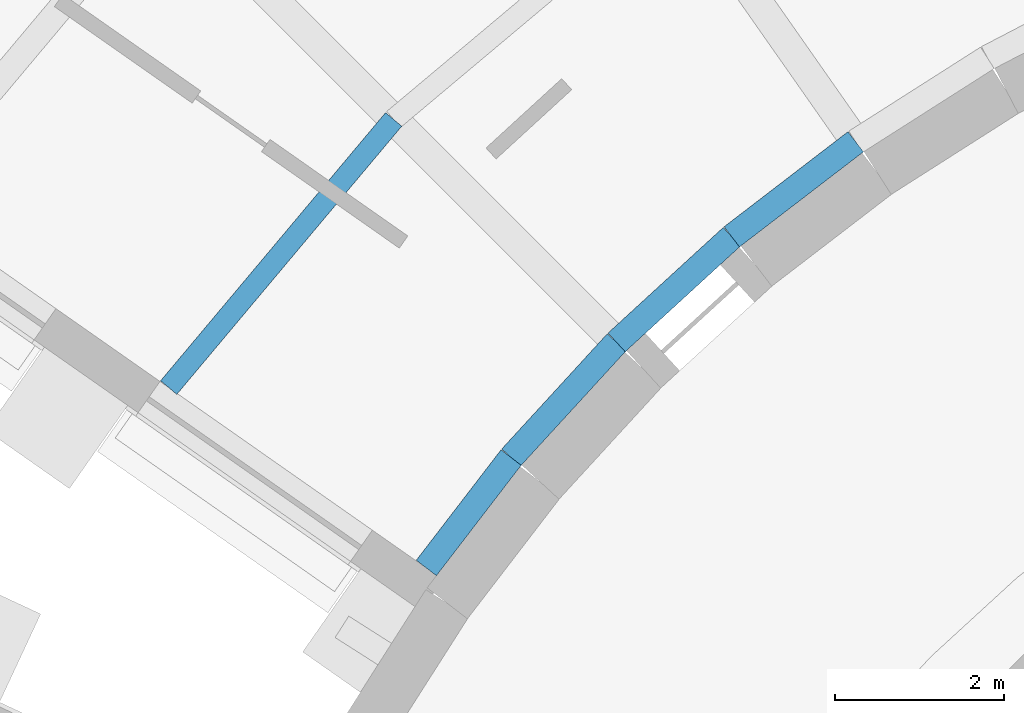
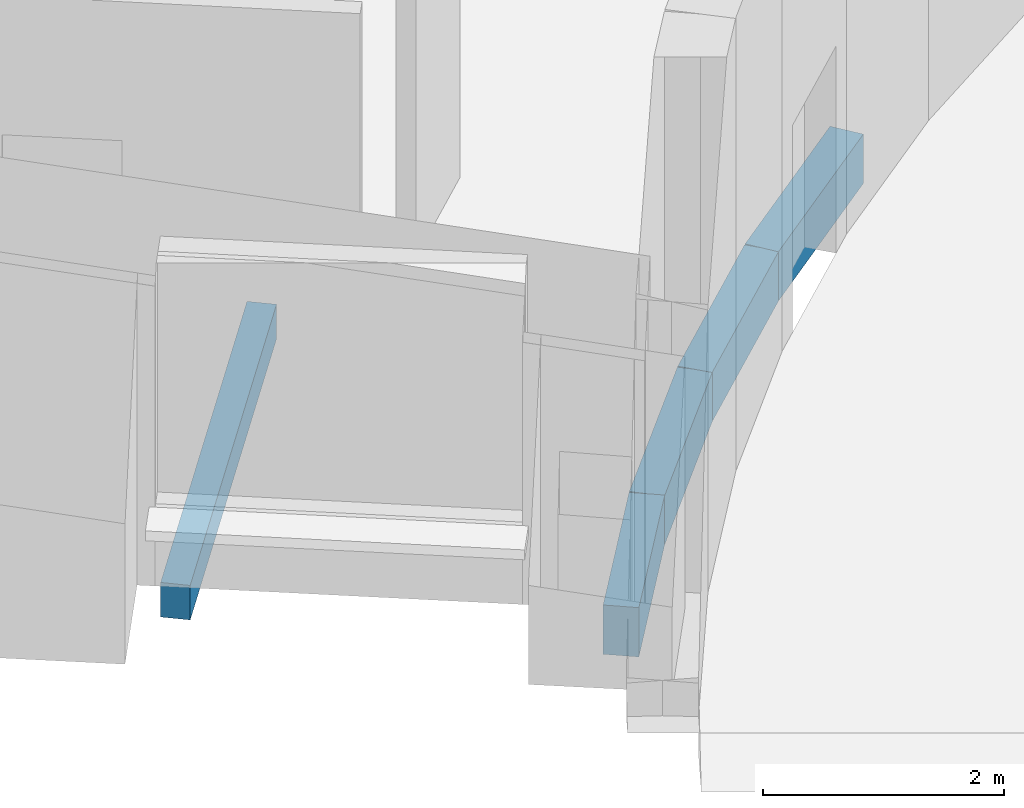
# One storey, part 10 of 85: 5 beams.
"""IFC4 building model written with IfcOpenShell, lengths in metres."""

from ifc_helpers import new_model, si_unit, direction, frame, origin, origin_2d, place, context, subcontext, project, spatial, rectangle, extrude, material, material_profile, profile_set, type_object, element, save


model = new_model("IFC4")

# Units and contexts
model_context = context("Model", 3, precision=1e-05, world=origin(), true_north=direction((0.0, 1.0)))
body_context = subcontext(model_context, "Body", "Model", "MODEL_VIEW")
ifc_project = project(units=[si_unit("LENGTHUNIT", "METRE"), si_unit("AREAUNIT", "SQUARE_METRE"), si_unit("VOLUMEUNIT", "CUBIC_METRE"), si_unit("PLANEANGLEUNIT", "RADIAN"), si_unit("MASSUNIT", "GRAM", prefix="KILO")], contexts=[model_context])

# Site, building, storey
site_placement = place(None, origin())
site = spatial("IfcSite", under=ifc_project, at=site_placement, CompositionType="ELEMENT")
building_placement = place(site_placement, origin())
building = spatial("IfcBuilding", under=site, at=building_placement, Name="Volute Hill Aquarium", CompositionType="ELEMENT")
storey_placement = place(building_placement, origin())
storey = spatial("IfcBuildingStorey", under=building, at=storey_placement, Name="L01", CompositionType="ELEMENT", Elevation=0.0)

# Beams
ifc_material_1 = material(Name="Concrete C35/45", Category="concrete")
ifc_material_profile_1 = material_profile(ifc_material_1, rectangle(XDim=0.300048828125, YDim=0.5, at=origin_2d()), Name="RC edge beam 300x500")
ifc_profile_set_1 = profile_set([ifc_material_profile_1], Name="Concrete C35/45")
beam_type_1 = type_object("IfcBeamType", Name="Edge beam 300x500 C35/45", PredefinedType="BEAM", material=ifc_profile_set_1)
for number, where, z_axis, x_axis, name in (
    (1, (-12.131103515625, 17.3251953125, -0.570068359375), (-0.79334647843, -0.608770371457, 0.0), (0.608770371457, -0.79334647843, 0.0), "bm/S6/L01/edgeD.38"),
    (2, (-13.594970703125, 16.201904296875, -0.570068359375), (-0.73726397759, -0.675604786356, 0.0), (0.675604786356, -0.73726397759, 0.0), "bm/S6/L01/edgeD.39"),
    (3, (-14.955322265625, 14.955322265625, -0.570068359375), (-0.675604786356, -0.73726397759, 0.0), (0.73726397759, -0.675604786356, 0.0), "bm/S6/L01/edgeD.40"),
):
    element("IfcBeam", number, at=place(storey_placement, frame(where, z_axis=z_axis, x_axis=x_axis)), inside=storey, type_object=beam_type_1, Name=name, PredefinedType="BEAM", context=body_context, shape_type="SweptSolid", body=[
        extrude(rectangle(XDim=0.300048828125, YDim=0.5, at=origin_2d()), origin(), (0.0, 0.0, 1.0), 1.84521484375),
    ])
beam_1_placement = place(storey_placement, frame((-16.201904296875, 13.594970703125, -0.570068359375), z_axis=(-0.608820957391, -0.793307659009, 0.0), x_axis=(0.793307659009, -0.608820957391, 0.0)))
element("IfcBeam", 4, at=beam_1_placement, inside=storey, type_object=beam_type_1, Name="bm/S6/L01/edgeD.41", PredefinedType="BEAM", context=body_context, shape_type="SweptSolid", body=[
    extrude(rectangle(XDim=0.300048828125, YDim=0.5, at=origin_2d()), origin(), (0.0, 0.0, 1.0), 1.64501953125),
])
ifc_material_2 = material(Name="Concrete C35/45", Category="concrete")
ifc_material_profile_2 = material_profile(ifc_material_2, rectangle(XDim=0.25, YDim=0.35009765625, at=origin_2d()), Name="RC joist 250x350")
ifc_profile_set_2 = profile_set([ifc_material_profile_2], Name="Concrete C35/45")
beam_type_2 = type_object("IfcBeamType", Name="Joist 250x350 C35/45", PredefinedType="BEAM", material=ifc_profile_set_2)
beam_2_placement = place(storey_placement, frame((-17.58935546875, 17.58935546875, -0.4951171875), z_axis=(-0.642747531021, -0.766078071326, 0.0), x_axis=(0.766078071326, -0.642747531021, 0.0)))
element("IfcBeam", 5, at=beam_2_placement, inside=storey, type_object=beam_type_2, Name="bm/S6/L01/jst5", PredefinedType="BEAM", context=body_context, shape_type="SweptSolid", body=[
    extrude(rectangle(XDim=0.25, YDim=0.35009765625, at=origin_2d()), origin(), (0.0, 0.0, 1.0), 4.13525390625),
])

save(model, "model.ifc")
